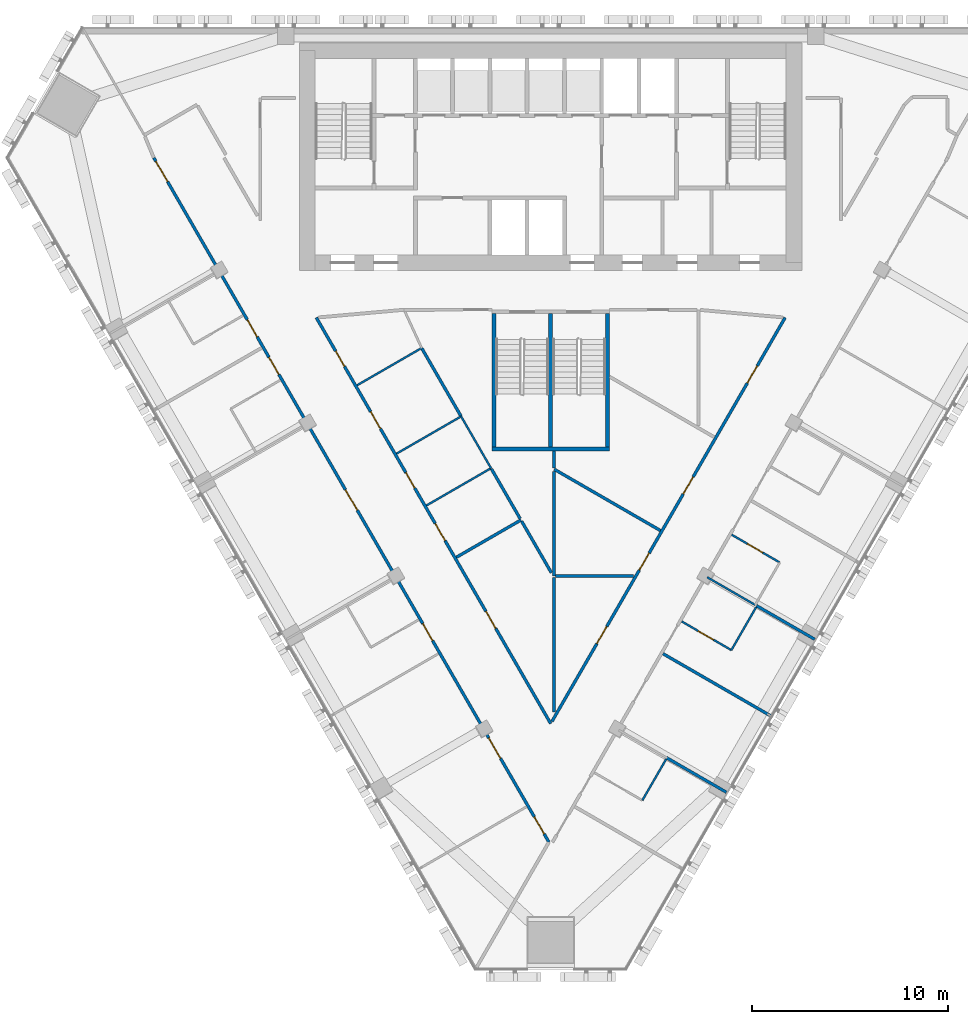
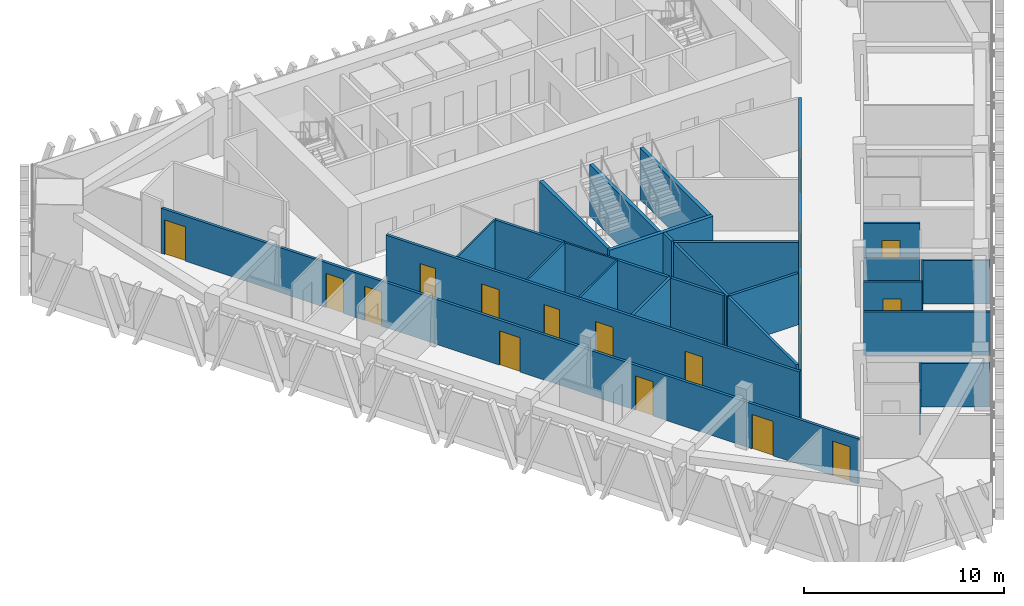
# One storey, part 9 of 16: 28 walls, 18 doors, 18 openings.
"""IFC4 building model written with IfcOpenShell, lengths in metres."""

from ifc_helpers import new_model, si_unit, direction, frame, frame_2d, origin, place, context, subcontext, project, spatial, rectangle, extrude, material, layer, layer_set, type_object, element, fill, save


model = new_model("IFC4")

# Units and contexts
model_context = context("Model", 3, precision=1e-05, world=origin(), true_north=direction((0.0, 1.0)))
body_context = subcontext(model_context, "Body", "Model", "MODEL_VIEW")
ifc_project = project(units=[si_unit("LENGTHUNIT", "METRE"), si_unit("AREAUNIT", "SQUARE_METRE"), si_unit("VOLUMEUNIT", "CUBIC_METRE"), si_unit("PLANEANGLEUNIT", "RADIAN"), si_unit("MASSUNIT", "GRAM", prefix="KILO")], contexts=[model_context])

# Site, building, storey
site_placement = place(None, origin())
site = spatial("IfcSite", under=ifc_project, at=site_placement, CompositionType="ELEMENT")
building_placement = place(site_placement, origin())
building = spatial("IfcBuilding", under=site, at=building_placement, Name="Altiplano Prism Tower", CompositionType="ELEMENT")
storey_placement = place(building_placement, frame((0.0, 0.0, 135.0)))
storey = spatial("IfcBuildingStorey", under=building, at=storey_placement, Name="L34", CompositionType="ELEMENT", Elevation=135.0)

# Walls
ifc_material_1 = material(Name="Plasterboard on steel stud", Category="steel")
ifc_layer_1 = layer(ifc_material_1, 0.10009765625)
ifc_layer_set_1 = layer_set([ifc_layer_1], Name="Plasterboard on steel stud")
wall_type_1 = type_object("IfcWallType", Name="Partition 100 unit", PredefinedType="PARTITIONING", material=ifc_layer_set_1)
wall_1_placement = place(storey_placement, frame((90.881591796875, 67.7001953125, 0.0), z_axis=(0.0, 0.0, 1.0), x_axis=(-0.499972286653, -0.866041403502, 0.0)))
element("IfcWall", 1, at=wall_1_placement, inside=storey, type_object=wall_type_1, Name="Partition P02 L34 048", PredefinedType="PARTITIONING", context=body_context, shape_type="SweptSolid", body=[
    extrude(rectangle(XDim=2.425048828125, YDim=0.10009765625, at=frame_2d((1.21240234375, 0.0))), origin(), (0.0, 0.0, 1.0), 2.75),
])
wall_2_placement = place(storey_placement, frame((95.46826171875, 75.4443359375, 0.0), z_axis=(0.0, 0.0, 1.0), x_axis=(-0.499976333282, -0.866039067339, 0.0)))
element("IfcWall", 2, at=wall_2_placement, inside=storey, type_object=wall_type_1, Name="Partition P02 L34 053", PredefinedType="PARTITIONING", context=body_context, shape_type="SweptSolid", body=[
    extrude(rectangle(XDim=2.52490234375, YDim=0.10009765625, at=frame_2d((1.262451171875, 0.0))), origin(), (0.0, 0.0, 1.0), 2.75),
])

# Wall, opening, door
wall_3_placement = place(storey_placement, frame((94.205810546875, 73.257568359375, 0.0), z_axis=(0.0, 0.0, 1.0), x_axis=(-0.86601045545, 0.500025890382, 0.0)))
wall_3 = element("IfcWall", 3, at=wall_3_placement, inside=storey, type_object=wall_type_1, Name="Partition P02 L34 054", PredefinedType="PARTITIONING", context=body_context, shape_type="SweptSolid", body=[
    extrude(rectangle(XDim=2.925048828125, YDim=0.10009765625, at=frame_2d((1.46240234375, 0.0))), origin(), (0.0, 0.0, 1.0), 3.14990234375),
])
opening_1_placement = place(wall_3_placement, frame((1.050048828125, 0.0, 0.0)))
opening_1 = element("IfcOpeningElement", 4, at=opening_1_placement, cuts=wall_3, Name="Opening D1242", PredefinedType="OPENING", context=body_context, shape_type="SweptSolid", body=[
    extrude(rectangle(XDim=0.89990234375, YDim=2.10009765625, at=frame_2d((0.449951171875, 1.050048828125))), frame((0.0, 0.060546875, 0.0), z_axis=(0.0, -1.0, 0.0), x_axis=(1.0, 0.0, 0.0)), (0.0, 0.0, 1.0), 0.12109375),
])
ifc_material_2 = material(Name="Timber", Category="wood")
door_type_1 = type_object("IfcDoorType", Name="Ensuite door 900 x 2100", OperationType="NOTDEFINED", PredefinedType="NOTDEFINED", material=ifc_material_2)
door_1_placement = place(opening_1_placement, origin())
door_1 = element("IfcDoor", 5, at=door_1_placement, inside=storey, type_object=door_type_1, Name="Door D1242", OperationType="SINGLE_SWING_LEFT", OverallHeight=2.10009765625, OverallWidth=0.89990234375, PredefinedType="NOTDEFINED", context=body_context, shape_type="SweptSolid", body=[
    extrude(rectangle(XDim=0.89990234375, YDim=2.10009765625, at=frame_2d((0.449951171875, 1.050048828125))), frame((0.0, 0.02490234375, 0.0), z_axis=(0.0, -1.0, 0.0), x_axis=(1.0, 0.0, 0.0)), (0.0, 0.0, 1.0), 0.050048828125),
])
fill(opening_1, door_1)

wall_4_placement = place(storey_placement, frame((94.22265625, 79.13671875, 0.0), z_axis=(0.0, 0.0, 1.0), x_axis=(0.866048868473, -0.499959355765, 0.0)))
wall_4 = element("IfcWall", 6, at=wall_4_placement, inside=storey, type_object=wall_type_1, Name="Partition P02 L34 057", PredefinedType="PARTITIONING", context=body_context, shape_type="SweptSolid", body=[
    extrude(rectangle(XDim=2.824951171875, YDim=0.10009765625, at=frame_2d((1.41259765625, 0.0))), origin(), (0.0, 0.0, 1.0), 3.14990234375),
])
opening_2_placement = place(wall_4_placement, frame((0.925048828125, 0.0, 0.0)))
opening_2 = element("IfcOpeningElement", 7, at=opening_2_placement, cuts=wall_4, Name="Opening D1244", PredefinedType="OPENING", context=body_context, shape_type="SweptSolid", body=[
    extrude(rectangle(XDim=0.89990234375, YDim=2.10009765625, at=frame_2d((0.449951171875, 1.050048828125))), frame((0.0, 0.060546875, 0.0), z_axis=(0.0, -1.0, 0.0), x_axis=(1.0, 0.0, 0.0)), (0.0, 0.0, 1.0), 0.12109375),
])
door_2_placement = place(opening_2_placement, origin())
door_2 = element("IfcDoor", 8, at=door_2_placement, inside=storey, type_object=door_type_1, Name="Door D1244", OperationType="SINGLE_SWING_LEFT", OverallHeight=2.10009765625, OverallWidth=0.89990234375, PredefinedType="NOTDEFINED", context=body_context, shape_type="SweptSolid", body=[
    extrude(rectangle(XDim=0.89990234375, YDim=2.10009765625, at=frame_2d((0.449951171875, 1.050048828125))), frame((0.0, 0.02490234375, 0.0), z_axis=(0.0, -1.0, 0.0), x_axis=(1.0, 0.0, 0.0)), (0.0, 0.0, 1.0), 0.050048828125),
])
fill(opening_2, door_2)

# Walls
ifc_layer_2 = layer(ifc_material_1, 0.10009765625)
ifc_layer_set_2 = layer_set([ifc_layer_2], Name="Plasterboard on steel stud")
wall_type_2 = type_object("IfcWallType", Name="Partition 100 wet", PredefinedType="PARTITIONING", material=ifc_layer_set_2)
wall_5_placement = place(storey_placement, frame((75.133544921875, 86.751708984375, 0.0), z_axis=(0.0, 0.0, 1.0), x_axis=(0.866015388607, 0.500017346395, 0.0)))
element("IfcWall", 9, at=wall_5_placement, inside=storey, type_object=wall_type_2, Name="Partition P03 L34 025", PredefinedType="PARTITIONING", context=body_context, shape_type="SweptSolid", body=[
    extrude(rectangle(XDim=3.798095703125, YDim=0.10009765625, at=frame_2d((1.89892578125, 0.0))), origin(), (0.0, 0.0, 1.0), 3.14990234375),
])
wall_6_placement = place(storey_placement, frame((78.66943359375, 80.627685546875, 0.0), z_axis=(0.0, 0.0, 1.0), x_axis=(0.866027152591, 0.499996970966, 0.0)))
element("IfcWall", 10, at=wall_6_placement, inside=storey, type_object=wall_type_2, Name="Partition P03 L34 026", PredefinedType="PARTITIONING", context=body_context, shape_type="SweptSolid", body=[
    extrude(rectangle(XDim=3.7978515625, YDim=0.10009765625, at=frame_2d((1.89892578125, 0.0))), origin(), (0.0, 0.0, 1.0), 3.14990234375),
])
wall_7_placement = place(storey_placement, frame((81.968505859375, 82.50927734375, 0.0), z_axis=(0.0, 0.0, 1.0), x_axis=(-0.499973348067, 0.866040790738, 0.0)))
element("IfcWall", 11, at=wall_7_placement, inside=storey, type_object=wall_type_2, Name="Partition P03 L34 027", PredefinedType="PARTITIONING", context=body_context, shape_type="SweptSolid", body=[
    extrude(rectangle(XDim=3.088623046875, YDim=0.10009765625, at=frame_2d((1.54443359375, 0.0))), origin(), (0.0, 0.0, 1.0), 3.14990234375),
])
wall_8_placement = place(storey_placement, frame((80.434326171875, 85.166748046875, 0.0), z_axis=(0.0, 0.0, 1.0), x_axis=(-0.865999316689, -0.500045181452, 0.0)))
element("IfcWall", 12, at=wall_8_placement, inside=storey, type_object=wall_type_2, Name="Partition P03 L34 028", PredefinedType="PARTITIONING", context=body_context, shape_type="SweptSolid", body=[
    extrude(rectangle(XDim=3.798095703125, YDim=0.10009765625, at=frame_2d((1.89892578125, 0.0))), origin(), (0.0, 0.0, 1.0), 3.14990234375),
])
wall_9_placement = place(storey_placement, frame((95.419189453125, 75.559326171875, 0.0), z_axis=(0.0, 0.0, 1.0), x_axis=(-0.866048868473, 0.499959355765, 0.0)))
element("IfcWall", 13, at=wall_9_placement, inside=storey, type_object=wall_type_2, Name="Partition P03 L34 056", PredefinedType="PARTITIONING", context=body_context, shape_type="SweptSolid", body=[
    extrude(rectangle(XDim=2.824951171875, YDim=0.10009765625, at=frame_2d((1.41259765625, 0.0))), origin(), (0.0, 0.0, 1.0), 2.75),
])

# Wall, openings, doors
ifc_layer_3 = layer(ifc_material_1, 0.14990234375)
ifc_layer_set_3 = layer_set([ifc_layer_3], Name="Plasterboard on steel stud")
wall_type_3 = type_object("IfcWallType", Name="Partition 150 corridor", PredefinedType="PARTITIONING", material=ifc_layer_set_3)
wall_10_placement = place(storey_placement, frame((96.94384765625, 90.199951171875, 0.0), z_axis=(0.0, 0.0, 1.0), x_axis=(-0.500002955053, -0.866023697677, 0.0)))
wall_10 = element("IfcWall", 14, at=wall_10_placement, inside=storey, type_object=wall_type_3, Name="Partition P06 L34 002", PredefinedType="PARTITIONING", context=body_context, shape_type="SweptSolid", body=[
    extrude(rectangle(XDim=23.757568359375, YDim=0.14990234375, at=frame_2d((11.87890625, 0.0))), origin(), (0.0, 0.0, 1.0), 3.14990234375),
])
opening_3_placement = place(wall_10_placement, frame((18.180908203125, 0.0, 0.0)))
opening_3 = element("IfcOpeningElement", 15, at=opening_3_placement, cuts=wall_10, Name="Opening D1226", PredefinedType="OPENING", context=body_context, shape_type="SweptSolid", body=[
    extrude(rectangle(XDim=1.0, YDim=2.10009765625, at=frame_2d((0.5, 1.050048828125))), frame((0.0, 0.08544921875, 0.0), z_axis=(0.0, -1.0, 0.0), x_axis=(1.0, 0.0, 0.0)), (0.0, 0.0, 1.0), 0.1708984375),
])
opening_4_placement = place(wall_10_placement, frame((9.3779296875, 0.0, 0.0)))
opening_4 = element("IfcOpeningElement", 16, at=opening_4_placement, cuts=wall_10, Name="Opening D1252", PredefinedType="OPENING", context=body_context, shape_type="SweptSolid", body=[
    extrude(rectangle(XDim=1.0, YDim=2.10009765625, at=frame_2d((0.5, 1.050048828125))), frame((0.0, 0.08544921875, 0.0), z_axis=(0.0, -1.0, 0.0), x_axis=(1.0, 0.0, 0.0)), (0.0, 0.0, 1.0), 0.1708984375),
])
opening_5_placement = place(wall_10_placement, frame((13.85888671875, 0.0, 0.0)))
opening_5 = element("IfcOpeningElement", 17, at=opening_5_placement, cuts=wall_10, Name="Opening D1255", PredefinedType="OPENING", context=body_context, shape_type="SweptSolid", body=[
    extrude(rectangle(XDim=1.0, YDim=2.10009765625, at=frame_2d((0.5, 1.050048828125))), frame((0.0, 0.08544921875, 0.0), z_axis=(0.0, -1.0, 0.0), x_axis=(1.0, 0.0, 0.0)), (0.0, 0.0, 1.0), 0.1708984375),
])
opening_6_placement = place(wall_10_placement, frame((2.844970703125, 0.0, 0.0)))
opening_6 = element("IfcOpeningElement", 18, at=opening_6_placement, cuts=wall_10, Name="Opening D1257", PredefinedType="OPENING", context=body_context, shape_type="SweptSolid", body=[
    extrude(rectangle(XDim=1.0, YDim=2.10009765625, at=frame_2d((0.5, 1.050048828125))), frame((0.0, 0.08544921875, 0.0), z_axis=(0.0, -1.0, 0.0), x_axis=(1.0, 0.0, 0.0)), (0.0, 0.0, 1.0), 0.1708984375),
])
door_type_2 = type_object("IfcDoorType", Name="Room door 1000 x 2100", OperationType="NOTDEFINED", PredefinedType="NOTDEFINED", material=ifc_material_2)
door_3_placement = place(opening_5_placement, origin())
door_3 = element("IfcDoor", 19, at=door_3_placement, inside=storey, type_object=door_type_2, Name="Door D1255", OperationType="SINGLE_SWING_LEFT", OverallHeight=2.10009765625, OverallWidth=1.0, PredefinedType="NOTDEFINED", context=body_context, shape_type="SweptSolid", body=[
    extrude(rectangle(XDim=1.0, YDim=2.10009765625, at=frame_2d((0.5, 1.050048828125))), frame((0.0, 0.02490234375, 0.0), z_axis=(0.0, -1.0, 0.0), x_axis=(1.0, 0.0, 0.0)), (0.0, 0.0, 1.0), 0.050048828125),
])
fill(opening_5, door_3)
door_4_placement = place(opening_6_placement, origin())
door_4 = element("IfcDoor", 20, at=door_4_placement, inside=storey, type_object=door_type_2, Name="Door D1257", OperationType="SINGLE_SWING_LEFT", OverallHeight=2.10009765625, OverallWidth=1.0, PredefinedType="NOTDEFINED", context=body_context, shape_type="SweptSolid", body=[
    extrude(rectangle(XDim=1.0, YDim=2.10009765625, at=frame_2d((0.5, 1.050048828125))), frame((0.0, 0.02490234375, 0.0), z_axis=(0.0, -1.0, 0.0), x_axis=(1.0, 0.0, 0.0)), (0.0, 0.0, 1.0), 0.050048828125),
])
fill(opening_6, door_4)
door_type_3 = type_object("IfcDoorType", Name="Store door 1000 x 2100", OperationType="NOTDEFINED", PredefinedType="NOTDEFINED", material=ifc_material_2)
door_5_placement = place(opening_3_placement, origin())
door_5 = element("IfcDoor", 21, at=door_5_placement, inside=storey, type_object=door_type_3, Name="Door D1226", OperationType="SINGLE_SWING_LEFT", OverallHeight=2.10009765625, OverallWidth=1.0, PredefinedType="NOTDEFINED", context=body_context, shape_type="SweptSolid", body=[
    extrude(rectangle(XDim=1.0, YDim=2.10009765625, at=frame_2d((0.5, 1.050048828125))), frame((0.0, 0.02490234375, 0.0), z_axis=(0.0, -1.0, 0.0), x_axis=(1.0, 0.0, 0.0)), (0.0, 0.0, 1.0), 0.050048828125),
])
fill(opening_3, door_5)
door_6_placement = place(opening_4_placement, origin())
door_6 = element("IfcDoor", 22, at=door_6_placement, inside=storey, type_object=door_type_3, Name="Door D1252", OperationType="SINGLE_SWING_LEFT", OverallHeight=2.10009765625, OverallWidth=1.0, PredefinedType="NOTDEFINED", context=body_context, shape_type="SweptSolid", body=[
    extrude(rectangle(XDim=1.0, YDim=2.10009765625, at=frame_2d((0.5, 1.050048828125))), frame((0.0, 0.02490234375, 0.0), z_axis=(0.0, -1.0, 0.0), x_axis=(1.0, 0.0, 0.0)), (0.0, 0.0, 1.0), 0.050048828125),
])
fill(opening_4, door_6)

wall_11_placement = place(storey_placement, frame((64.77734375, 98.339599609375, 0.0), z_axis=(0.0, 0.0, 1.0), x_axis=(0.499997513821, -0.866026839176, 0.0)))
wall_11 = element("IfcWall", 23, at=wall_11_placement, inside=storey, type_object=wall_type_3, Name="Partition P06 L34 004", PredefinedType="PARTITIONING", context=body_context, shape_type="SweptSolid", body=[
    extrude(rectangle(XDim=40.260009765625, YDim=0.14990234375, at=frame_2d((20.1298828125, 0.0))), origin(), (0.0, 0.0, 1.0), 2.75),
])
opening_7_placement = place(wall_11_placement, frame((0.199951171875, 0.0, 0.0)))
opening_7 = element("IfcOpeningElement", 24, at=opening_7_placement, cuts=wall_11, Name="Opening D1227", PredefinedType="OPENING", context=body_context, shape_type="SweptSolid", body=[
    extrude(rectangle(XDim=1.199951171875, YDim=2.10009765625, at=frame_2d((0.60009765625, 1.050048828125))), frame((0.0, 0.08544921875, 0.0), z_axis=(0.0, -1.0, 0.0), x_axis=(1.0, 0.0, 0.0)), (0.0, 0.0, 1.0), 0.1708984375),
])
opening_8_placement = place(wall_11_placement, frame((9.52490234375, 0.0, 0.0)))
opening_8 = element("IfcOpeningElement", 25, at=opening_8_placement, cuts=wall_11, Name="Opening D1228", PredefinedType="OPENING", context=body_context, shape_type="SweptSolid", body=[
    extrude(rectangle(XDim=1.0, YDim=2.10009765625, at=frame_2d((0.5, 1.050048828125))), frame((0.0, 0.08544921875, 0.0), z_axis=(0.0, -1.0, 0.0), x_axis=(1.0, 0.0, 0.0)), (0.0, 0.0, 1.0), 0.1708984375),
])
opening_9_placement = place(wall_11_placement, frame((11.735107421875, 0.0, 0.0)))
opening_9 = element("IfcOpeningElement", 26, at=opening_9_placement, cuts=wall_11, Name="Opening D1230", PredefinedType="OPENING", context=body_context, shape_type="SweptSolid", body=[
    extrude(rectangle(XDim=1.0, YDim=2.10009765625, at=frame_2d((0.5, 1.050048828125))), frame((0.0, 0.08544921875, 0.0), z_axis=(0.0, -1.0, 0.0), x_axis=(1.0, 0.0, 0.0)), (0.0, 0.0, 1.0), 0.1708984375),
])
opening_10_placement = place(wall_11_placement, frame((19.530029296875, 0.0, 0.0)))
opening_10 = element("IfcOpeningElement", 27, at=opening_10_placement, cuts=wall_11, Name="Opening D1232", PredefinedType="OPENING", context=body_context, shape_type="SweptSolid", body=[
    extrude(rectangle(XDim=1.199951171875, YDim=2.10009765625, at=frame_2d((0.60009765625, 1.050048828125))), frame((0.0, 0.08544921875, 0.0), z_axis=(0.0, -1.0, 0.0), x_axis=(1.0, 0.0, 0.0)), (0.0, 0.0, 1.0), 0.1708984375),
])
opening_11_placement = place(wall_11_placement, frame((27.409912109375, 0.0, 0.0)))
opening_11 = element("IfcOpeningElement", 28, at=opening_11_placement, cuts=wall_11, Name="Opening D1233", PredefinedType="OPENING", context=body_context, shape_type="SweptSolid", body=[
    extrude(rectangle(XDim=1.0, YDim=2.10009765625, at=frame_2d((0.5, 1.050048828125))), frame((0.0, 0.08544921875, 0.0), z_axis=(0.0, -1.0, 0.0), x_axis=(1.0, 0.0, 0.0)), (0.0, 0.0, 1.0), 0.1708984375),
])
opening_12_placement = place(wall_11_placement, frame((34.1298828125, 0.0, 0.0)))
opening_12 = element("IfcOpeningElement", 29, at=opening_12_placement, cuts=wall_11, Name="Opening D1235", PredefinedType="OPENING", context=body_context, shape_type="SweptSolid", body=[
    extrude(rectangle(XDim=1.199951171875, YDim=2.10009765625, at=frame_2d((0.60009765625, 1.050048828125))), frame((0.0, 0.08544921875, 0.0), z_axis=(0.0, -1.0, 0.0), x_axis=(1.0, 0.0, 0.0)), (0.0, 0.0, 1.0), 0.1708984375),
])
opening_13_placement = place(wall_11_placement, frame((38.780029296875, 0.0, 0.0)))
opening_13 = element("IfcOpeningElement", 30, at=opening_13_placement, cuts=wall_11, Name="Opening D1236", PredefinedType="OPENING", context=body_context, shape_type="SweptSolid", body=[
    extrude(rectangle(XDim=1.0, YDim=2.10009765625, at=frame_2d((0.5, 1.050048828125))), frame((0.0, 0.08544921875, 0.0), z_axis=(0.0, -1.0, 0.0), x_axis=(1.0, 0.0, 0.0)), (0.0, 0.0, 1.0), 0.1708984375),
])
door_type_4 = type_object("IfcDoorType", Name="Bedroom entrance door 1000 x 2100", OperationType="NOTDEFINED", PredefinedType="NOTDEFINED", material=ifc_material_2)
door_7_placement = place(opening_8_placement, origin())
door_7 = element("IfcDoor", 31, at=door_7_placement, inside=storey, type_object=door_type_4, Name="Door D1228", OperationType="SINGLE_SWING_LEFT", OverallHeight=2.10009765625, OverallWidth=1.0, PredefinedType="NOTDEFINED", context=body_context, shape_type="SweptSolid", body=[
    extrude(rectangle(XDim=1.0, YDim=2.10009765625, at=frame_2d((0.5, 1.050048828125))), frame((0.0, 0.02490234375, 0.0), z_axis=(0.0, -1.0, 0.0), x_axis=(1.0, 0.0, 0.0)), (0.0, 0.0, 1.0), 0.050048828125),
])
fill(opening_8, door_7)
door_8_placement = place(opening_9_placement, origin())
door_8 = element("IfcDoor", 32, at=door_8_placement, inside=storey, type_object=door_type_4, Name="Door D1230", OperationType="SINGLE_SWING_RIGHT", OverallHeight=2.10009765625, OverallWidth=1.0, PredefinedType="NOTDEFINED", context=body_context, shape_type="SweptSolid", body=[
    extrude(rectangle(XDim=1.0, YDim=2.10009765625, at=frame_2d((0.5, 1.050048828125))), frame((0.0, 0.02490234375, 0.0), z_axis=(0.0, -1.0, 0.0), x_axis=(1.0, 0.0, 0.0)), (0.0, 0.0, 1.0), 0.050048828125),
])
fill(opening_9, door_8)
door_9_placement = place(opening_11_placement, origin())
door_9 = element("IfcDoor", 33, at=door_9_placement, inside=storey, type_object=door_type_4, Name="Door D1233", OperationType="SINGLE_SWING_LEFT", OverallHeight=2.10009765625, OverallWidth=1.0, PredefinedType="NOTDEFINED", context=body_context, shape_type="SweptSolid", body=[
    extrude(rectangle(XDim=1.0, YDim=2.10009765625, at=frame_2d((0.5, 1.050048828125))), frame((0.0, 0.02490234375, 0.0), z_axis=(0.0, -1.0, 0.0), x_axis=(1.0, 0.0, 0.0)), (0.0, 0.0, 1.0), 0.050048828125),
])
fill(opening_11, door_9)
door_10_placement = place(opening_13_placement, origin())
door_10 = element("IfcDoor", 34, at=door_10_placement, inside=storey, type_object=door_type_2, Name="Door D1236", OperationType="SINGLE_SWING_RIGHT", OverallHeight=2.10009765625, OverallWidth=1.0, PredefinedType="NOTDEFINED", context=body_context, shape_type="SweptSolid", body=[
    extrude(rectangle(XDim=1.0, YDim=2.10009765625, at=frame_2d((0.5, 1.050048828125))), frame((0.0, 0.02490234375, 0.0), z_axis=(0.0, -1.0, 0.0), x_axis=(1.0, 0.0, 0.0)), (0.0, 0.0, 1.0), 0.050048828125),
])
fill(opening_13, door_10)
door_type_5 = type_object("IfcDoorType", Name="Shared room door 1200 x 2100", OperationType="NOTDEFINED", PredefinedType="NOTDEFINED", material=ifc_material_2)
door_11_placement = place(opening_7_placement, origin())
door_11 = element("IfcDoor", 35, at=door_11_placement, inside=storey, type_object=door_type_5, Name="Door D1227", OperationType="SINGLE_SWING_LEFT", OverallHeight=2.10009765625, OverallWidth=1.199951171875, PredefinedType="NOTDEFINED", context=body_context, shape_type="SweptSolid", body=[
    extrude(rectangle(XDim=1.199951171875, YDim=2.10009765625, at=frame_2d((0.60009765625, 1.050048828125))), frame((0.0, 0.02490234375, 0.0), z_axis=(0.0, -1.0, 0.0), x_axis=(1.0, 0.0, 0.0)), (0.0, 0.0, 1.0), 0.050048828125),
])
fill(opening_7, door_11)
door_12_placement = place(opening_10_placement, origin())
door_12 = element("IfcDoor", 36, at=door_12_placement, inside=storey, type_object=door_type_5, Name="Door D1232", OperationType="SINGLE_SWING_RIGHT", OverallHeight=2.10009765625, OverallWidth=1.199951171875, PredefinedType="NOTDEFINED", context=body_context, shape_type="SweptSolid", body=[
    extrude(rectangle(XDim=1.199951171875, YDim=2.10009765625, at=frame_2d((0.60009765625, 1.050048828125))), frame((0.0, 0.02490234375, 0.0), z_axis=(0.0, -1.0, 0.0), x_axis=(1.0, 0.0, 0.0)), (0.0, 0.0, 1.0), 0.050048828125),
])
fill(opening_10, door_12)
door_13_placement = place(opening_12_placement, origin())
door_13 = element("IfcDoor", 37, at=door_13_placement, inside=storey, type_object=door_type_5, Name="Door D1235", OperationType="SINGLE_SWING_LEFT", OverallHeight=2.10009765625, OverallWidth=1.199951171875, PredefinedType="NOTDEFINED", context=body_context, shape_type="SweptSolid", body=[
    extrude(rectangle(XDim=1.199951171875, YDim=2.10009765625, at=frame_2d((0.60009765625, 1.050048828125))), frame((0.0, 0.02490234375, 0.0), z_axis=(0.0, -1.0, 0.0), x_axis=(1.0, 0.0, 0.0)), (0.0, 0.0, 1.0), 0.050048828125),
])
fill(opening_12, door_13)

wall_12_placement = place(storey_placement, frame((85.0, 69.5126953125, 0.0), z_axis=(0.0, 0.0, 1.0), x_axis=(-0.500001724231, 0.866024408297, 0.0)))
wall_12 = element("IfcWall", 38, at=wall_12_placement, inside=storey, type_object=wall_type_3, Name="Partition P06 L34 023", PredefinedType="PARTITIONING", context=body_context, shape_type="SweptSolid", body=[
    extrude(rectangle(XDim=23.8876953125, YDim=0.14990234375, at=frame_2d((11.94384765625, 0.0))), origin(), (0.0, 0.0, 1.0), 3.14990234375),
])
opening_14_placement = place(wall_12_placement, frame((21.01611328125, 0.0, 0.0)))
opening_14 = element("IfcOpeningElement", 39, at=opening_14_placement, cuts=wall_12, Name="Opening D1223", PredefinedType="OPENING", context=body_context, shape_type="SweptSolid", body=[
    extrude(rectangle(XDim=0.89990234375, YDim=2.10009765625, at=frame_2d((0.449951171875, 1.050048828125))), frame((0.0, 0.08544921875, 0.0), z_axis=(0.0, -1.0, 0.0), x_axis=(1.0, 0.0, 0.0)), (0.0, 0.0, 1.0), 0.1708984375),
])
opening_15_placement = place(wall_12_placement, frame((13.864990234375, 0.0, 0.0)))
opening_15 = element("IfcOpeningElement", 40, at=opening_15_placement, cuts=wall_12, Name="Opening D1224", PredefinedType="OPENING", context=body_context, shape_type="SweptSolid", body=[
    extrude(rectangle(XDim=0.89990234375, YDim=2.10009765625, at=frame_2d((0.449951171875, 1.050048828125))), frame((0.0, 0.08544921875, 0.0), z_axis=(0.0, -1.0, 0.0), x_axis=(1.0, 0.0, 0.0)), (0.0, 0.0, 1.0), 0.1708984375),
])
opening_16_placement = place(wall_12_placement, frame((10.76708984375, 0.0, 0.0)))
opening_16 = element("IfcOpeningElement", 41, at=opening_16_placement, cuts=wall_12, Name="Opening D1225", PredefinedType="OPENING", context=body_context, shape_type="SweptSolid", body=[
    extrude(rectangle(XDim=1.0, YDim=2.10009765625, at=frame_2d((0.5, 1.050048828125))), frame((0.0, 0.08544921875, 0.0), z_axis=(0.0, -1.0, 0.0), x_axis=(1.0, 0.0, 0.0)), (0.0, 0.0, 1.0), 0.1708984375),
])
opening_17_placement = place(wall_12_placement, frame((5.60888671875, 0.0, 0.0)))
opening_17 = element("IfcOpeningElement", 42, at=opening_17_placement, cuts=wall_12, Name="Opening D1254", PredefinedType="OPENING", context=body_context, shape_type="SweptSolid", body=[
    extrude(rectangle(XDim=1.0, YDim=2.10009765625, at=frame_2d((0.5, 1.050048828125))), frame((0.0, 0.08544921875, 0.0), z_axis=(0.0, -1.0, 0.0), x_axis=(1.0, 0.0, 0.0)), (0.0, 0.0, 1.0), 0.1708984375),
])
opening_18_placement = place(wall_12_placement, frame((17.35107421875, 0.0, 0.0)))
opening_18 = element("IfcOpeningElement", 43, at=opening_18_placement, cuts=wall_12, Name="Opening D1258", PredefinedType="OPENING", context=body_context, shape_type="SweptSolid", body=[
    extrude(rectangle(XDim=1.0, YDim=2.10009765625, at=frame_2d((0.5, 1.050048828125))), frame((0.0, 0.08544921875, 0.0), z_axis=(0.0, -1.0, 0.0), x_axis=(1.0, 0.0, 0.0)), (0.0, 0.0, 1.0), 0.1708984375),
])
door_14_placement = place(opening_18_placement, origin())
door_14 = element("IfcDoor", 44, at=door_14_placement, inside=storey, type_object=door_type_2, Name="Door D1258", OperationType="SINGLE_SWING_RIGHT", OverallHeight=2.10009765625, OverallWidth=1.0, PredefinedType="NOTDEFINED", context=body_context, shape_type="SweptSolid", body=[
    extrude(rectangle(XDim=1.0, YDim=2.10009765625, at=frame_2d((0.5, 1.050048828125))), frame((0.0, 0.02490234375, 0.0), z_axis=(0.0, -1.0, 0.0), x_axis=(1.0, 0.0, 0.0)), (0.0, 0.0, 1.0), 0.050048828125),
])
fill(opening_18, door_14)
door_15_placement = place(opening_16_placement, origin())
door_15 = element("IfcDoor", 45, at=door_15_placement, inside=storey, type_object=door_type_3, Name="Door D1225", OperationType="SINGLE_SWING_LEFT", OverallHeight=2.10009765625, OverallWidth=1.0, PredefinedType="NOTDEFINED", context=body_context, shape_type="SweptSolid", body=[
    extrude(rectangle(XDim=1.0, YDim=2.10009765625, at=frame_2d((0.5, 1.050048828125))), frame((0.0, 0.02490234375, 0.0), z_axis=(0.0, -1.0, 0.0), x_axis=(1.0, 0.0, 0.0)), (0.0, 0.0, 1.0), 0.050048828125),
])
fill(opening_16, door_15)
door_16_placement = place(opening_17_placement, origin())
door_16 = element("IfcDoor", 46, at=door_16_placement, inside=storey, type_object=door_type_3, Name="Door D1254", OperationType="SINGLE_SWING_LEFT", OverallHeight=2.10009765625, OverallWidth=1.0, PredefinedType="NOTDEFINED", context=body_context, shape_type="SweptSolid", body=[
    extrude(rectangle(XDim=1.0, YDim=2.10009765625, at=frame_2d((0.5, 1.050048828125))), frame((0.0, 0.02490234375, 0.0), z_axis=(0.0, -1.0, 0.0), x_axis=(1.0, 0.0, 0.0)), (0.0, 0.0, 1.0), 0.050048828125),
])
fill(opening_17, door_16)
door_type_6 = type_object("IfcDoorType", Name="Toilet door 900 x 2100", OperationType="NOTDEFINED", PredefinedType="NOTDEFINED", material=ifc_material_2)
door_17_placement = place(opening_14_placement, origin())
door_17 = element("IfcDoor", 47, at=door_17_placement, inside=storey, type_object=door_type_6, Name="Door D1223", OperationType="SINGLE_SWING_RIGHT", OverallHeight=2.10009765625, OverallWidth=0.89990234375, PredefinedType="NOTDEFINED", context=body_context, shape_type="SweptSolid", body=[
    extrude(rectangle(XDim=0.89990234375, YDim=2.10009765625, at=frame_2d((0.449951171875, 1.050048828125))), frame((0.0, 0.02490234375, 0.0), z_axis=(0.0, -1.0, 0.0), x_axis=(1.0, 0.0, 0.0)), (0.0, 0.0, 1.0), 0.050048828125),
])
fill(opening_14, door_17)
door_18_placement = place(opening_15_placement, origin())
door_18 = element("IfcDoor", 48, at=door_18_placement, inside=storey, type_object=door_type_6, Name="Door D1224", OperationType="SINGLE_SWING_LEFT", OverallHeight=2.10009765625, OverallWidth=0.89990234375, PredefinedType="NOTDEFINED", context=body_context, shape_type="SweptSolid", body=[
    extrude(rectangle(XDim=0.89990234375, YDim=2.10009765625, at=frame_2d((0.449951171875, 1.050048828125))), frame((0.0, 0.02490234375, 0.0), z_axis=(0.0, -1.0, 0.0), x_axis=(1.0, 0.0, 0.0)), (0.0, 0.0, 1.0), 0.050048828125),
])
fill(opening_15, door_18)

# Walls
ifc_layer_4 = layer(ifc_material_1, 0.14990234375)
ifc_layer_set_4 = layer_set([ifc_layer_4], Name="Plasterboard on steel stud")
wall_type_4 = type_object("IfcWallType", Name="Partition 150 party", PredefinedType="PARTITIONING", material=ifc_layer_set_4)
wall_13_placement = place(storey_placement, frame((83.4453125, 79.95166015625, 0.0), z_axis=(0.0, 0.0, 1.0), x_axis=(-0.499992340283, 0.866029826079, 0.0)))
element("IfcWall", 49, at=wall_13_placement, inside=storey, type_object=wall_type_4, Name="Partition P01 L34 029", PredefinedType="PARTITIONING", context=body_context, shape_type="SweptSolid", body=[
    extrude(rectangle(XDim=2.92333984375, YDim=0.14990234375, at=frame_2d((1.461669921875, 0.0))), origin(), (0.0, 0.0, 1.0), 3.14990234375),
])
wall_14_placement = place(storey_placement, frame((80.193603515625, 77.987548828125, 0.0), z_axis=(0.0, 0.0, 1.0), x_axis=(0.866015388607, 0.500017346395, 0.0)))
element("IfcWall", 50, at=wall_14_placement, inside=storey, type_object=wall_type_4, Name="Partition P01 L34 030", PredefinedType="PARTITIONING", context=body_context, shape_type="SweptSolid", body=[
    extrude(rectangle(XDim=3.798095703125, YDim=0.14990234375, at=frame_2d((1.89892578125, 0.0))), origin(), (0.0, 0.0, 1.0), 3.14990234375),
])
wall_15_placement = place(storey_placement, frame((85.173095703125, 76.958984375, 0.0), z_axis=(0.0, 0.0, 1.0), x_axis=(0.0, -1.0, 0.0)))
element("IfcWall", 51, at=wall_15_placement, inside=storey, type_object=wall_type_4, Name="Partition P01 L34 031", PredefinedType="PARTITIONING", context=body_context, shape_type="SweptSolid", body=[
    extrude(rectangle(XDim=6.866455078125, YDim=0.14990234375, at=frame_2d((3.43310546875, 0.0))), origin(), (0.0, 0.0, 1.0), 3.14990234375),
])
wall_16_placement = place(storey_placement, frame((89.209228515625, 77.028076171875, 0.0), z_axis=(0.0, 0.0, 1.0), x_axis=(-1.0, 0.0, 0.0)))
element("IfcWall", 52, at=wall_16_placement, inside=storey, type_object=wall_type_4, Name="Partition P01 L34 032", PredefinedType="PARTITIONING", context=body_context, shape_type="SweptSolid", body=[
    extrude(rectangle(XDim=3.961181640625, YDim=0.14990234375, at=frame_2d((1.98046875, 0.0))), origin(), (0.0, 0.0, 1.0), 3.14990234375),
])
wall_17_placement = place(storey_placement, frame((93.9501953125, 66.01513671875, 0.0), z_axis=(0.0, 0.0, 1.0), x_axis=(-0.866019260715, 0.500010639957, 0.0)))
element("IfcWall", 53, at=wall_17_placement, inside=storey, type_object=wall_type_4, Name="Partition P01 L34 050", PredefinedType="PARTITIONING", context=body_context, shape_type="SweptSolid", body=[
    extrude(rectangle(XDim=3.52001953125, YDim=0.14990234375, at=frame_2d((1.760009765625, 0.0))), origin(), (0.0, 0.0, 1.0), 2.64990234375),
])
wall_18_placement = place(storey_placement, frame((96.2177734375, 69.902099609375, 0.0), z_axis=(0.0, 0.0, 1.0), x_axis=(-0.866025401434, 0.500000004071, 0.0)))
element("IfcWall", 54, at=wall_18_placement, inside=storey, type_object=wall_type_4, Name="Partition P01 L34 052", PredefinedType="PARTITIONING", context=body_context, shape_type="SweptSolid", body=[
    extrude(rectangle(XDim=6.34521484375, YDim=0.14990234375, at=frame_2d((3.172607421875, 0.0))), origin(), (0.0, 0.0, 1.0), 2.64990234375),
])
wall_19_placement = place(storey_placement, frame((98.4501953125, 73.809326171875, 0.0), z_axis=(0.0, 0.0, 1.0), x_axis=(-0.866020337685, 0.500008774639, 0.0)))
element("IfcWall", 55, at=wall_19_placement, inside=storey, type_object=wall_type_4, Name="Partition P01 L34 055", PredefinedType="PARTITIONING", context=body_context, shape_type="SweptSolid", body=[
    extrude(rectangle(XDim=3.419921875, YDim=0.14990234375, at=frame_2d((1.7099609375, 0.0))), origin(), (0.0, 0.0, 1.0), 2.64990234375),
])
wall_20_placement = place(storey_placement, frame((85.173095703125, 83.39990234375, 0.0), z_axis=(0.0, 0.0, 1.0), x_axis=(0.0, -1.0, 0.0)))
element("IfcWall", 56, at=wall_20_placement, inside=storey, type_object=wall_type_4, Name="Partition P01 L34 066", PredefinedType="PARTITIONING", context=body_context, shape_type="SweptSolid", body=[
    extrude(rectangle(XDim=0.858154296875, YDim=0.14990234375, at=frame_2d((0.42919921875, 0.0))), origin(), (0.0, 0.0, 1.0), 3.14990234375),
])
wall_21_placement = place(storey_placement, frame((85.173095703125, 82.476806640625, 0.0), z_axis=(0.0, 0.0, 1.0), x_axis=(0.866040044389, -0.499974640872, 0.0)))
element("IfcWall", 57, at=wall_21_placement, inside=storey, type_object=wall_type_4, Name="Partition P01 L34 067", PredefinedType="PARTITIONING", context=body_context, shape_type="SweptSolid", body=[
    extrude(rectangle(XDim=6.257080078125, YDim=0.14990234375, at=frame_2d((3.12841796875, 0.0))), origin(), (0.0, 0.0, 1.0), 3.14990234375),
])
wall_22_placement = place(storey_placement, frame((83.520263671875, 79.82177734375, 0.0), z_axis=(0.0, 0.0, 1.0), x_axis=(0.500018127915, -0.866014937375, 0.0)))
element("IfcWall", 58, at=wall_22_placement, inside=storey, type_object=wall_type_4, Name="Partition P01 L34 069", PredefinedType="PARTITIONING", context=body_context, shape_type="SweptSolid", body=[
    extrude(rectangle(XDim=3.02587890625, YDim=0.14990234375, at=frame_2d((1.512939453125, 0.0))), origin(), (0.0, 0.0, 1.0), 3.14990234375),
])
wall_23_placement = place(storey_placement, frame((85.173095703125, 77.028076171875, 0.0), z_axis=(0.0, 0.0, 1.0), x_axis=(0.0, 1.0, 0.0)))
element("IfcWall", 59, at=wall_23_placement, inside=storey, type_object=wall_type_4, Name="Partition P01 L34 070", PredefinedType="PARTITIONING", context=body_context, shape_type="SweptSolid", body=[
    extrude(rectangle(XDim=5.31884765625, YDim=0.14990234375, at=frame_2d((2.659423828125, 0.0))), origin(), (0.0, 0.0, 1.0), 3.14990234375),
])
wall_24_placement = place(storey_placement, frame((78.4228515625, 88.65087890625, 0.0), z_axis=(0.0, 0.0, 1.0), x_axis=(0.499983355923, -0.866035013033, 0.0)))
element("IfcWall", 60, at=wall_24_placement, inside=storey, type_object=wall_type_4, Name="Partition P01 L34 071", PredefinedType="PARTITIONING", context=body_context, shape_type="SweptSolid", body=[
    extrude(rectangle(XDim=4.023193359375, YDim=0.14990234375, at=frame_2d((2.01171875, 0.0))), origin(), (0.0, 0.0, 1.0), 3.14990234375),
])
ifc_material_3 = material(Name="Concrete C60/75", Category="concrete")
ifc_layer_5 = layer(ifc_material_3, 0.199951171875)
ifc_layer_set_5 = layer_set([ifc_layer_5], Name="Concrete C60/75")
wall_type_5 = type_object("IfcWallType", Name="Stair wall 200", PredefinedType="SOLIDWALL", material=ifc_layer_set_5)
wall_25_placement = place(storey_placement, frame((82.0, 83.5, 0.0), z_axis=(0.0, 0.0, 1.0), x_axis=(1.0, 0.0, 0.0)))
element("IfcWall", 61, at=wall_25_placement, inside=storey, type_object=wall_type_5, Name="Stair 3 wall south L34", PredefinedType="SOLIDWALL", context=body_context, shape_type="SweptSolid", body=[
    extrude(rectangle(XDim=6.0, YDim=0.199951171875, at=frame_2d((3.0, 0.0))), origin(), (0.0, 0.0, 1.0), 3.14990234375),
])
for number, where, z_axis, x_axis, name in (
    (62, (82.10009765625, 83.60009765625, 0.0), (0.0, 0.0, 1.0), (0.0, 1.0, 0.0), "Stair 3 wall west L34"),
    (63, (87.89990234375, 83.60009765625, 0.0), (0.0, 0.0, 1.0), (0.0, 1.0, 0.0), "Stair 3 wall east L34"),
    (64, (85.0, 83.60009765625, 0.0), (0.0, 0.0, 1.0), (0.0, 1.0, 0.0), "Stair 3 wall divider L34"),
):
    element("IfcWall", number, at=place(storey_placement, frame(where, z_axis=z_axis, x_axis=x_axis)), inside=storey, type_object=wall_type_5, Name=name, PredefinedType="SOLIDWALL", context=body_context, shape_type="SweptSolid", body=[
        extrude(rectangle(XDim=6.7998046875, YDim=0.199951171875, at=frame_2d((3.39990234375, 0.0))), origin(), (0.0, 0.0, 1.0), 3.14990234375),
    ])

save(model, "model.ifc")
